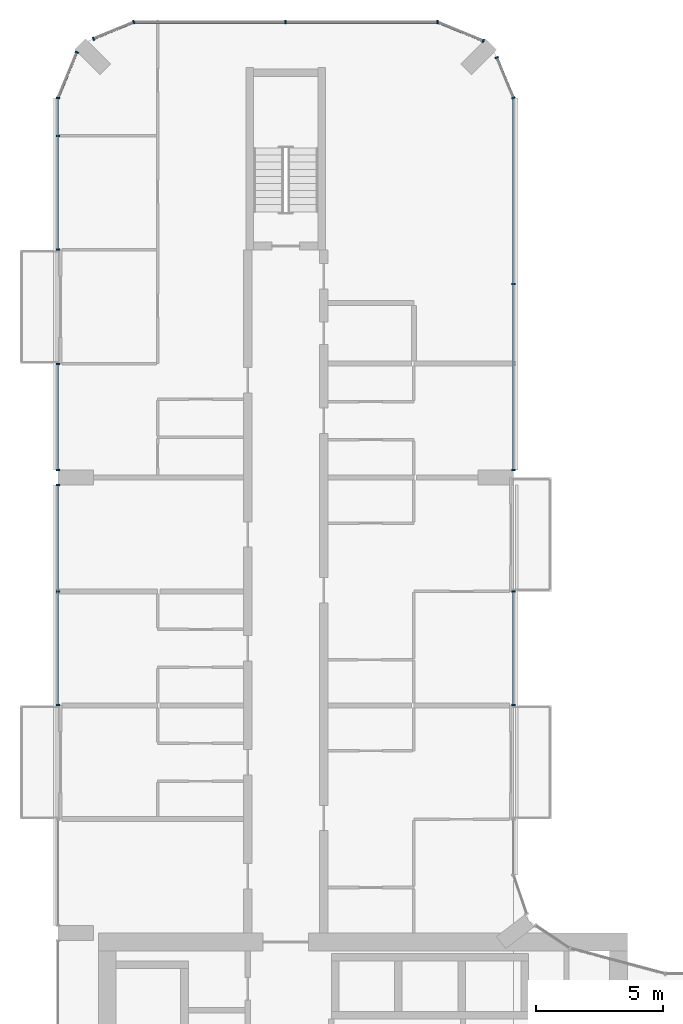
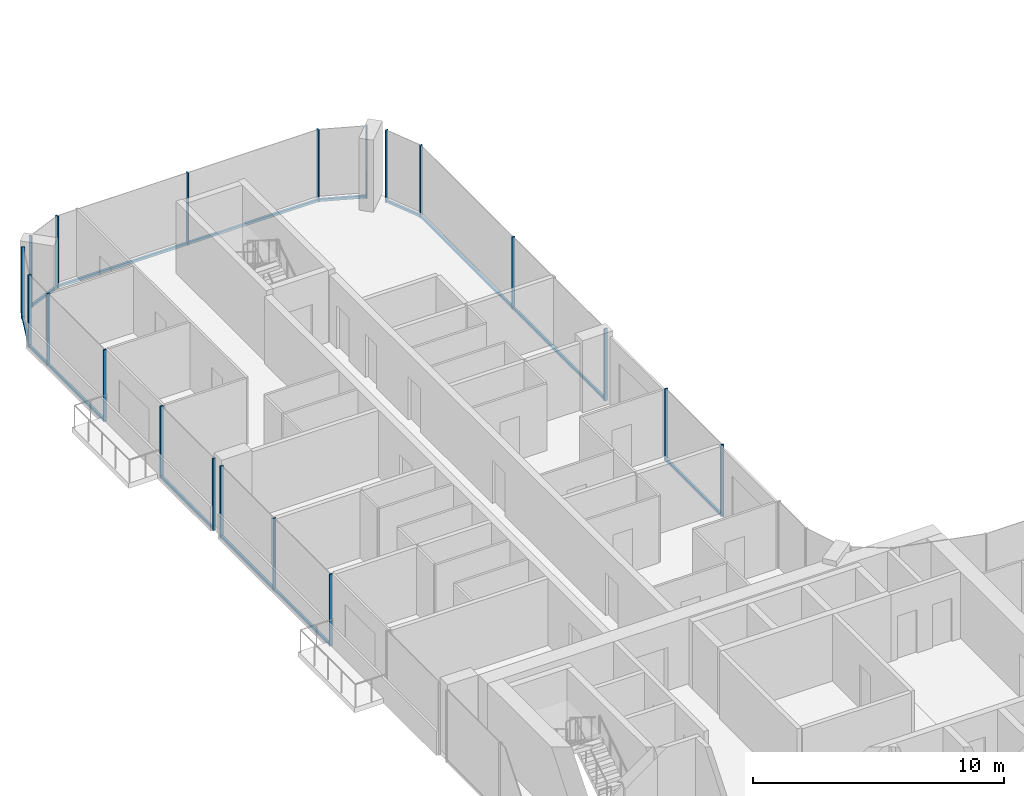
# One storey, part 6 of 23: 30 members, 10 elements without a shape of their own.
"""IFC4 building model written with IfcOpenShell, lengths in metres."""

from ifc_helpers import new_model, si_unit, direction, frame, origin, origin_2d, place, context, subcontext, project, spatial, rectangle, extrude, material, layer, layer_set, material_profile, profile_set, type_object, element, aggregate, save


model = new_model("IFC4")

# Units and contexts
model_context = context("Model", 3, precision=1e-05, world=origin(), true_north=direction((0.0, 1.0)))
body_context = subcontext(model_context, "Body", "Model", "MODEL_VIEW")
ifc_project = project(units=[si_unit("LENGTHUNIT", "METRE"), si_unit("AREAUNIT", "SQUARE_METRE"), si_unit("VOLUMEUNIT", "CUBIC_METRE"), si_unit("PLANEANGLEUNIT", "RADIAN"), si_unit("MASSUNIT", "GRAM", prefix="KILO")], contexts=[model_context])

# Site, building, storey
site_placement = place(None, origin())
site = spatial("IfcSite", under=ifc_project, at=site_placement, CompositionType="ELEMENT")
building_placement = place(site_placement, origin())
building = spatial("IfcBuilding", under=site, at=building_placement, Name="Plateau Cross Towers", CompositionType="ELEMENT")
storey_placement = place(building_placement, frame((0.0, 0.0, 85.300048828125)))
storey = spatial("IfcBuildingStorey", under=building, at=storey_placement, Name="L21", CompositionType="ELEMENT", Elevation=85.300048828125)

# Curtain wall, members
ifc_material_1 = material(Name="Dark low-iron glass", Category="glass")
ifc_layer = layer(ifc_material_1, 0.239990234375)
ifc_layer_set = layer_set([ifc_layer], Name="Dark low-iron glass")
curtain_wall_type = type_object("IfcCurtainWallType", Name="Curtain wall flush unitised CW-B", PredefinedType="NOTDEFINED", material=ifc_layer_set)
curtain_wall_1_placement = place(storey_placement, origin())
curtain_wall_1 = element("IfcCurtainWall", 1, at=curtain_wall_1_placement, inside=storey, type_object=curtain_wall_type, Name="ENV/A/L21/A180_270", PredefinedType="NOTDEFINED")
ifc_material_2 = material(Name="Black anodised aluminium", Category="aluminium")
ifc_material_profile_1 = material_profile(ifc_material_2, rectangle(XDim=0.06005859375, YDim=0.139892578125, at=origin_2d()), Name="MULLION 60x140")
ifc_profile_set_1 = profile_set([ifc_material_profile_1], Name="Black anodised aluminium")
member_type_1 = type_object("IfcMemberType", Name="Mullion 60x140 flush unitised", PredefinedType="MULLION", material=ifc_profile_set_1)
member_1_placement = place(storey_placement, frame((18.0, 27.010009765625, -0.25), z_axis=(0.0, 0.0, 1.0), x_axis=(0.0, 1.0, 0.0)))
member_1 = element("IfcMember", 2, at=member_1_placement, type_object=member_type_1, Name="CW-B mullion 1", PredefinedType="MULLION", context=body_context, shape_type="SweptSolid", body=[
    extrude(rectangle(XDim=0.06005859375, YDim=0.139892578125, at=origin_2d()), origin(), (0.0, 0.0, 1.0), 3.5),
])
member_2_placement = place(storey_placement, frame((18.0, 31.489990234375, -0.25), z_axis=(0.0, 0.0, 1.0), x_axis=(0.0, 1.0, 0.0)))
member_2 = element("IfcMember", 3, at=member_2_placement, type_object=member_type_1, Name="CW-B mullion 2", PredefinedType="MULLION", context=body_context, shape_type="SweptSolid", body=[
    extrude(rectangle(XDim=0.06005859375, YDim=0.139892578125, at=origin_2d()), origin(), (0.0, 0.0, 1.0), 3.5),
])

curtain_wall_2_placement = place(storey_placement, origin())
curtain_wall_2 = element("IfcCurtainWall", 4, at=curtain_wall_2_placement, inside=storey, type_object=curtain_wall_type, Name="ENV/A/L21/A180_363", PredefinedType="NOTDEFINED")
member_3_placement = place(storey_placement, frame((18.0, 36.300048828125, -0.25), z_axis=(0.0, 0.0, 1.0), x_axis=(0.0, 1.0, 0.0)))
member_3 = element("IfcMember", 5, at=member_3_placement, type_object=member_type_1, Name="CW-B mullion 1", PredefinedType="MULLION", context=body_context, shape_type="SweptSolid", body=[
    extrude(rectangle(XDim=0.06005859375, YDim=0.139892578125, at=origin_2d()), origin(), (0.0, 0.0, 1.0), 3.5),
])
member_4_placement = place(storey_placement, frame((18.0, 43.64990234375, -0.25), z_axis=(0.0, 0.0, 1.0), x_axis=(0.0, 1.0, 0.0)))
member_4 = element("IfcMember", 6, at=member_4_placement, type_object=member_type_1, Name="CW-B mullion 2", PredefinedType="MULLION", context=body_context, shape_type="SweptSolid", body=[
    extrude(rectangle(XDim=0.06005859375, YDim=0.139892578125, at=origin_2d()), origin(), (0.0, 0.0, 1.0), 3.5),
])

curtain_wall_3_placement = place(storey_placement, origin())
curtain_wall_3 = element("IfcCurtainWall", 7, at=curtain_wall_3_placement, inside=storey, type_object=curtain_wall_type, Name="ENV/A/L21/A180_510", PredefinedType="NOTDEFINED")
member_5_placement = place(storey_placement, frame((18.0, 51.0, -0.25), z_axis=(0.0, 0.0, 1.0), x_axis=(-0.382683612978, 0.923879457699, 0.0)))
member_5 = element("IfcMember", 8, at=member_5_placement, type_object=member_type_1, Name="CW-B mullion 1", PredefinedType="MULLION", context=body_context, shape_type="SweptSolid", body=[
    extrude(rectangle(XDim=0.06005859375, YDim=0.139892578125, at=origin_2d()), origin(), (0.0, 0.0, 1.0), 3.5),
])
member_6_placement = place(storey_placement, frame((17.338623046875, 52.5966796875, -0.25), z_axis=(0.0, 0.0, 1.0), x_axis=(-0.382683612978, 0.923879457699, 0.0)))
member_6 = element("IfcMember", 9, at=member_6_placement, type_object=member_type_1, Name="CW-B mullion 2", PredefinedType="MULLION", context=body_context, shape_type="SweptSolid", body=[
    extrude(rectangle(XDim=0.06005859375, YDim=0.139892578125, at=origin_2d()), origin(), (0.0, 0.0, 1.0), 3.5),
])

# Curtain wall, member
curtain_wall_4_placement = place(storey_placement, origin())
curtain_wall_4 = element("IfcCurtainWall", 10, at=curtain_wall_4_placement, inside=storey, type_object=curtain_wall_type, Name="ENV/A/L21/A168_533", PredefinedType="NOTDEFINED")
member_7_placement = place(storey_placement, frame((16.805908203125, 53.251953125, -0.25), z_axis=(0.0, 0.0, 1.0), x_axis=(-0.923879457699, 0.382683612978, 0.0)))
member_7 = element("IfcMember", 11, at=member_7_placement, type_object=member_type_1, Name="CW-B mullion 1", PredefinedType="MULLION", context=body_context, shape_type="SweptSolid", body=[
    extrude(rectangle(XDim=0.06005859375, YDim=0.139892578125, at=origin_2d()), origin(), (0.0, 0.0, 1.0), 3.5),
])

# Curtain wall, members
curtain_wall_5_placement = place(storey_placement, origin())
curtain_wall_5 = element("IfcCurtainWall", 12, at=curtain_wall_5_placement, inside=storey, type_object=curtain_wall_type, Name="ENV/A/L21/A150_540", PredefinedType="NOTDEFINED")
member_8_placement = place(storey_placement, frame((15.0, 54.0, -0.25), z_axis=(0.0, 0.0, 1.0), x_axis=(-1.0, 0.0, 0.0)))
member_8 = element("IfcMember", 13, at=member_8_placement, type_object=member_type_1, Name="CW-B mullion 1", PredefinedType="MULLION", context=body_context, shape_type="SweptSolid", body=[
    extrude(rectangle(XDim=0.06005859375, YDim=0.139892578125, at=origin_2d()), origin(), (0.0, 0.0, 1.0), 3.5),
])
member_9_placement = place(storey_placement, frame((9.0, 54.0, -0.25), z_axis=(0.0, 0.0, 1.0), x_axis=(-1.0, 0.0, 0.0)))
member_9 = element("IfcMember", 14, at=member_9_placement, type_object=member_type_1, Name="CW-B mullion 2", PredefinedType="MULLION", context=body_context, shape_type="SweptSolid", body=[
    extrude(rectangle(XDim=0.06005859375, YDim=0.139892578125, at=origin_2d()), origin(), (0.0, 0.0, 1.0), 3.5),
])

curtain_wall_6_placement = place(storey_placement, origin())
curtain_wall_6 = element("IfcCurtainWall", 15, at=curtain_wall_6_placement, inside=storey, type_object=curtain_wall_type, Name="ENV/A/L21/A30_540", PredefinedType="NOTDEFINED")
member_10_placement = place(storey_placement, frame((3.0, 54.0, -0.25), z_axis=(0.0, 0.0, 1.0), x_axis=(-0.923879457699, -0.382683612978, 0.0)))
member_10 = element("IfcMember", 16, at=member_10_placement, type_object=member_type_1, Name="CW-B mullion 1", PredefinedType="MULLION", context=body_context, shape_type="SweptSolid", body=[
    extrude(rectangle(XDim=0.06005859375, YDim=0.139892578125, at=origin_2d()), origin(), (0.0, 0.0, 1.0), 3.5),
])
member_11_placement = place(storey_placement, frame((1.4033203125, 53.338623046875, -0.25), z_axis=(0.0, 0.0, 1.0), x_axis=(-0.923879457699, -0.382683612978, 0.0)))
member_11 = element("IfcMember", 17, at=member_11_placement, type_object=member_type_1, Name="CW-B mullion 2", PredefinedType="MULLION", context=body_context, shape_type="SweptSolid", body=[
    extrude(rectangle(XDim=0.06005859375, YDim=0.139892578125, at=origin_2d()), origin(), (0.0, 0.0, 1.0), 3.5),
])

# Curtain wall, member
curtain_wall_7_placement = place(storey_placement, origin())
curtain_wall_7 = element("IfcCurtainWall", 18, at=curtain_wall_7_placement, inside=storey, type_object=curtain_wall_type, Name="ENV/A/L21/A7_528", PredefinedType="NOTDEFINED")
member_12_placement = place(storey_placement, frame((0.748046875, 52.805908203125, -0.25), z_axis=(0.0, 0.0, 1.0), x_axis=(-0.382683612978, -0.923879457699, 0.0)))
member_12 = element("IfcMember", 19, at=member_12_placement, type_object=member_type_1, Name="CW-B mullion 1", PredefinedType="MULLION", context=body_context, shape_type="SweptSolid", body=[
    extrude(rectangle(XDim=0.06005859375, YDim=0.139892578125, at=origin_2d()), origin(), (0.0, 0.0, 1.0), 3.5),
])

# Curtain wall, members
curtain_wall_8_placement = place(storey_placement, origin())
curtain_wall_8 = element("IfcCurtainWall", 20, at=curtain_wall_8_placement, inside=storey, type_object=curtain_wall_type, Name="ENV/A/L21/A0_510", PredefinedType="NOTDEFINED")
member_13_placement = place(storey_placement, frame((0.0, 51.0, -0.25), z_axis=(0.0, 0.0, 1.0), x_axis=(0.0, -1.0, 0.0)))
member_13 = element("IfcMember", 21, at=member_13_placement, type_object=member_type_1, Name="CW-B mullion 1", PredefinedType="MULLION", context=body_context, shape_type="SweptSolid", body=[
    extrude(rectangle(XDim=0.06005859375, YDim=0.139892578125, at=origin_2d()), origin(), (0.0, 0.0, 1.0), 3.5),
])
member_14_placement = place(storey_placement, frame((0.0, 49.5, -0.25), z_axis=(0.0, 0.0, 1.0), x_axis=(0.0, -1.0, 0.0)))
member_14 = element("IfcMember", 22, at=member_14_placement, type_object=member_type_1, Name="CW-B mullion 2", PredefinedType="MULLION", context=body_context, shape_type="SweptSolid", body=[
    extrude(rectangle(XDim=0.06005859375, YDim=0.139892578125, at=origin_2d()), origin(), (0.0, 0.0, 1.0), 3.5),
])
member_15_placement = place(storey_placement, frame((0.0, 45.010009765625, -0.25), z_axis=(0.0, 0.0, 1.0), x_axis=(0.0, -1.0, 0.0)))
member_15 = element("IfcMember", 23, at=member_15_placement, type_object=member_type_1, Name="CW-B mullion 3", PredefinedType="MULLION", context=body_context, shape_type="SweptSolid", body=[
    extrude(rectangle(XDim=0.06005859375, YDim=0.139892578125, at=origin_2d()), origin(), (0.0, 0.0, 1.0), 3.5),
])

curtain_wall_9_placement = place(storey_placement, origin())
curtain_wall_9 = element("IfcCurtainWall", 24, at=curtain_wall_9_placement, inside=storey, type_object=curtain_wall_type, Name="ENV/A/L21/A0_405", PredefinedType="NOTDEFINED")
member_16_placement = place(storey_placement, frame((0.0, 40.489990234375, -0.25), z_axis=(0.0, 0.0, 1.0), x_axis=(0.0, -1.0, 0.0)))
member_16 = element("IfcMember", 25, at=member_16_placement, type_object=member_type_1, Name="CW-B mullion 1", PredefinedType="MULLION", context=body_context, shape_type="SweptSolid", body=[
    extrude(rectangle(XDim=0.06005859375, YDim=0.139892578125, at=origin_2d()), origin(), (0.0, 0.0, 1.0), 3.5),
])
member_17_placement = place(storey_placement, frame((0.0, 36.300048828125, -0.25), z_axis=(0.0, 0.0, 1.0), x_axis=(0.0, -1.0, 0.0)))
member_17 = element("IfcMember", 26, at=member_17_placement, type_object=member_type_1, Name="CW-B mullion 2", PredefinedType="MULLION", context=body_context, shape_type="SweptSolid", body=[
    extrude(rectangle(XDim=0.06005859375, YDim=0.139892578125, at=origin_2d()), origin(), (0.0, 0.0, 1.0), 3.5),
])

curtain_wall_10_placement = place(storey_placement, origin())
curtain_wall_10 = element("IfcCurtainWall", 27, at=curtain_wall_10_placement, inside=storey, type_object=curtain_wall_type, Name="ENV/A/L21/A0_357", PredefinedType="NOTDEFINED")
member_18_placement = place(storey_placement, frame((0.0, 35.699951171875, -0.25), z_axis=(0.0, 0.0, 1.0), x_axis=(0.0, -1.0, 0.0)))
member_18 = element("IfcMember", 28, at=member_18_placement, type_object=member_type_1, Name="CW-B mullion 1", PredefinedType="MULLION", context=body_context, shape_type="SweptSolid", body=[
    extrude(rectangle(XDim=0.06005859375, YDim=0.139892578125, at=origin_2d()), origin(), (0.0, 0.0, 1.0), 3.5),
])
member_19_placement = place(storey_placement, frame((0.0, 31.5, -0.25), z_axis=(0.0, 0.0, 1.0), x_axis=(0.0, -1.0, 0.0)))
member_19 = element("IfcMember", 29, at=member_19_placement, type_object=member_type_1, Name="CW-B mullion 2", PredefinedType="MULLION", context=body_context, shape_type="SweptSolid", body=[
    extrude(rectangle(XDim=0.06005859375, YDim=0.139892578125, at=origin_2d()), origin(), (0.0, 0.0, 1.0), 3.5),
])
member_20_placement = place(storey_placement, frame((0.0, 27.010009765625, -0.25), z_axis=(0.0, 0.0, 1.0), x_axis=(0.0, -1.0, 0.0)))
member_20 = element("IfcMember", 30, at=member_20_placement, type_object=member_type_1, Name="CW-B mullion 3", PredefinedType="MULLION", context=body_context, shape_type="SweptSolid", body=[
    extrude(rectangle(XDim=0.06005859375, YDim=0.139892578125, at=origin_2d()), origin(), (0.0, 0.0, 1.0), 3.5),
])

# Member
ifc_material_profile_2 = material_profile(ifc_material_2, rectangle(XDim=0.10009765625, YDim=0.1201171875, at=origin_2d()), Name="TRANSOM 100x120")
ifc_profile_set_2 = profile_set([ifc_material_profile_2], Name="Black anodised aluminium")
member_type_2 = type_object("IfcMemberType", Name="Transom 100x120 flush unitised", PredefinedType="USERDEFINED", material=ifc_profile_set_2)
member_21_placement = place(storey_placement, frame((18.0, 27.010009765625, -0.18994140625), z_axis=(0.0, 1.0, 0.0), x_axis=(-1.0, 0.0, 0.0)))
member_21 = element("IfcMember", 31, at=member_21_placement, type_object=member_type_2, Name="CW-B transom", ObjectType="TRANSOM", PredefinedType="USERDEFINED", context=body_context, shape_type="SweptSolid", body=[
    extrude(rectangle(XDim=0.10009765625, YDim=0.1201171875, at=origin_2d()), origin(), (0.0, 0.0, 1.0), 4.47998046875),
])

aggregate(curtain_wall_1, [member_1, member_2, member_21])

member_22_placement = place(storey_placement, frame((18.0, 36.300048828125, -0.18994140625), z_axis=(0.0, 1.0, 0.0), x_axis=(-1.0, 0.0, 0.0)))
member_22 = element("IfcMember", 32, at=member_22_placement, type_object=member_type_2, Name="CW-B transom", ObjectType="TRANSOM", PredefinedType="USERDEFINED", context=body_context, shape_type="SweptSolid", body=[
    extrude(rectangle(XDim=0.10009765625, YDim=0.1201171875, at=origin_2d()), origin(), (0.0, 0.0, 1.0), 14.699951171875),
])

aggregate(curtain_wall_2, [member_3, member_4, member_22])

member_23_placement = place(storey_placement, frame((18.0, 51.0, -0.18994140625), z_axis=(-0.382688653628, 0.923877369776, 0.0), x_axis=(-0.923877369776, -0.382688653628, 0.0)))
member_23 = element("IfcMember", 33, at=member_23_placement, type_object=member_type_2, Name="CW-B transom", ObjectType="TRANSOM", PredefinedType="USERDEFINED", context=body_context, shape_type="SweptSolid", body=[
    extrude(rectangle(XDim=0.10009765625, YDim=0.1201171875, at=origin_2d()), origin(), (0.0, 0.0, 1.0), 1.728271484375),
])

aggregate(curtain_wall_3, [member_5, member_6, member_23])

member_24_placement = place(storey_placement, frame((16.805908203125, 53.251953125, -0.18994140625), z_axis=(-0.92387678234, 0.382690071798, 0.0), x_axis=(-0.382690071798, -0.92387678234, 0.0)))
member_24 = element("IfcMember", 34, at=member_24_placement, type_object=member_type_2, Name="CW-B transom", ObjectType="TRANSOM", PredefinedType="USERDEFINED", context=body_context, shape_type="SweptSolid", body=[
    extrude(rectangle(XDim=0.10009765625, YDim=0.1201171875, at=origin_2d()), origin(), (0.0, 0.0, 1.0), 1.95458984375),
])

aggregate(curtain_wall_4, [member_7, member_24])

member_25_placement = place(storey_placement, frame((15.0, 54.0, -0.18994140625), z_axis=(-1.0, 0.0, 0.0), x_axis=(0.0, -1.0, 0.0)))
member_25 = element("IfcMember", 35, at=member_25_placement, type_object=member_type_2, Name="CW-B transom", ObjectType="TRANSOM", PredefinedType="USERDEFINED", context=body_context, shape_type="SweptSolid", body=[
    extrude(rectangle(XDim=0.10009765625, YDim=0.1201171875, at=origin_2d()), origin(), (0.0, 0.0, 1.0), 12.0),
])

aggregate(curtain_wall_5, [member_8, member_9, member_25])

member_26_placement = place(storey_placement, frame((3.0, 54.0, -0.18994140625), z_axis=(-0.923877369776, -0.382688653628, 0.0), x_axis=(0.382688653628, -0.923877369776, 0.0)))
member_26 = element("IfcMember", 36, at=member_26_placement, type_object=member_type_2, Name="CW-B transom", ObjectType="TRANSOM", PredefinedType="USERDEFINED", context=body_context, shape_type="SweptSolid", body=[
    extrude(rectangle(XDim=0.10009765625, YDim=0.1201171875, at=origin_2d()), origin(), (0.0, 0.0, 1.0), 1.728271484375),
])

aggregate(curtain_wall_6, [member_10, member_11, member_26])

member_27_placement = place(storey_placement, frame((0.748046875, 52.805908203125, -0.18994140625), z_axis=(-0.382690071798, -0.92387678234, 0.0), x_axis=(0.92387678234, -0.382690071798, 0.0)))
member_27 = element("IfcMember", 37, at=member_27_placement, type_object=member_type_2, Name="CW-B transom", ObjectType="TRANSOM", PredefinedType="USERDEFINED", context=body_context, shape_type="SweptSolid", body=[
    extrude(rectangle(XDim=0.10009765625, YDim=0.1201171875, at=origin_2d()), origin(), (0.0, 0.0, 1.0), 1.95458984375),
])

aggregate(curtain_wall_7, [member_12, member_27])

member_28_placement = place(storey_placement, frame((0.0, 51.0, -0.18994140625), z_axis=(0.0, -1.0, 0.0), x_axis=(1.0, 0.0, 0.0)))
member_28 = element("IfcMember", 38, at=member_28_placement, type_object=member_type_2, Name="CW-B transom", ObjectType="TRANSOM", PredefinedType="USERDEFINED", context=body_context, shape_type="SweptSolid", body=[
    extrude(rectangle(XDim=0.10009765625, YDim=0.1201171875, at=origin_2d()), origin(), (0.0, 0.0, 1.0), 5.989990234375),
])

aggregate(curtain_wall_8, [member_13, member_14, member_15, member_28])

member_29_placement = place(storey_placement, frame((0.0, 40.489990234375, -0.18994140625), z_axis=(0.0, -1.0, 0.0), x_axis=(1.0, 0.0, 0.0)))
member_29 = element("IfcMember", 39, at=member_29_placement, type_object=member_type_2, Name="CW-B transom", ObjectType="TRANSOM", PredefinedType="USERDEFINED", context=body_context, shape_type="SweptSolid", body=[
    extrude(rectangle(XDim=0.10009765625, YDim=0.1201171875, at=origin_2d()), origin(), (0.0, 0.0, 1.0), 4.18994140625),
])

aggregate(curtain_wall_9, [member_16, member_17, member_29])

member_30_placement = place(storey_placement, frame((0.0, 35.699951171875, -0.18994140625), z_axis=(0.0, -1.0, 0.0), x_axis=(1.0, 0.0, 0.0)))
member_30 = element("IfcMember", 40, at=member_30_placement, type_object=member_type_2, Name="CW-B transom", ObjectType="TRANSOM", PredefinedType="USERDEFINED", context=body_context, shape_type="SweptSolid", body=[
    extrude(rectangle(XDim=0.10009765625, YDim=0.1201171875, at=origin_2d()), origin(), (0.0, 0.0, 1.0), 8.68994140625),
])

aggregate(curtain_wall_10, [member_18, member_19, member_20, member_30])

save(model, "model.ifc")
